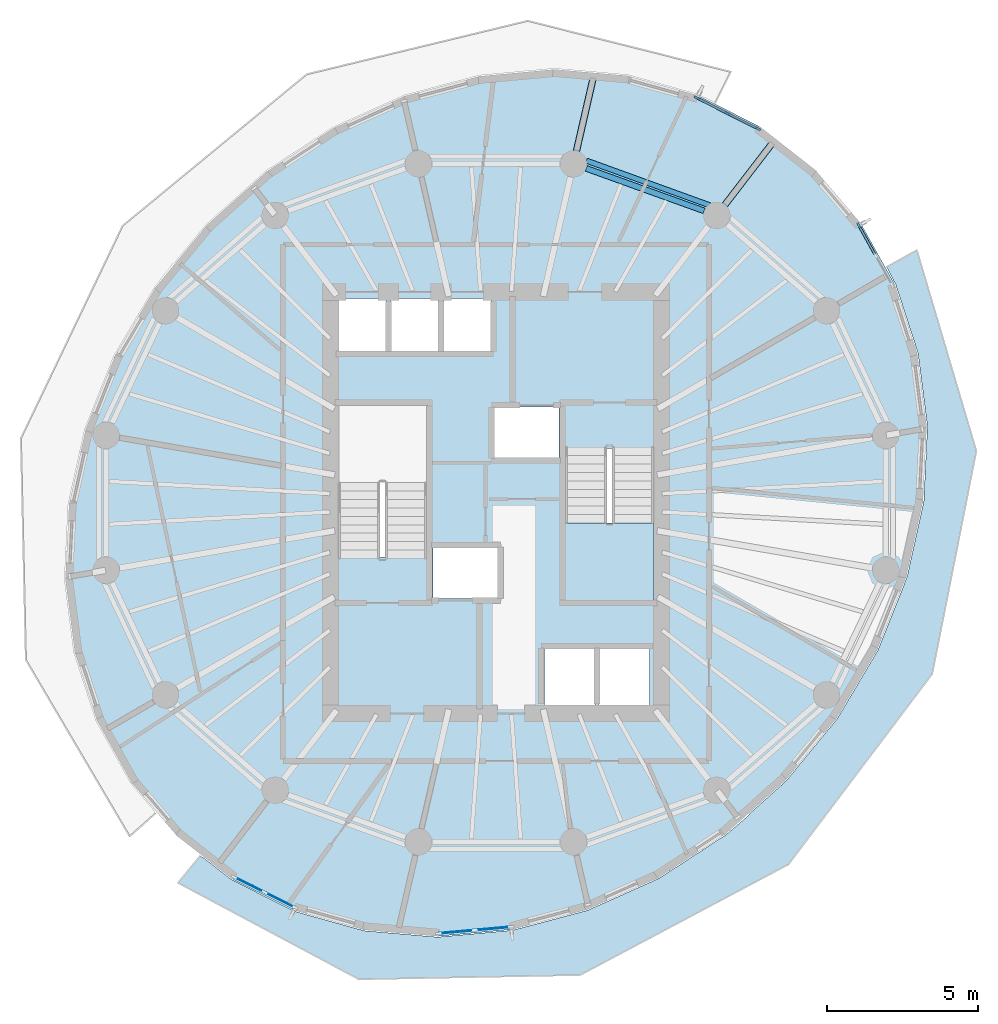
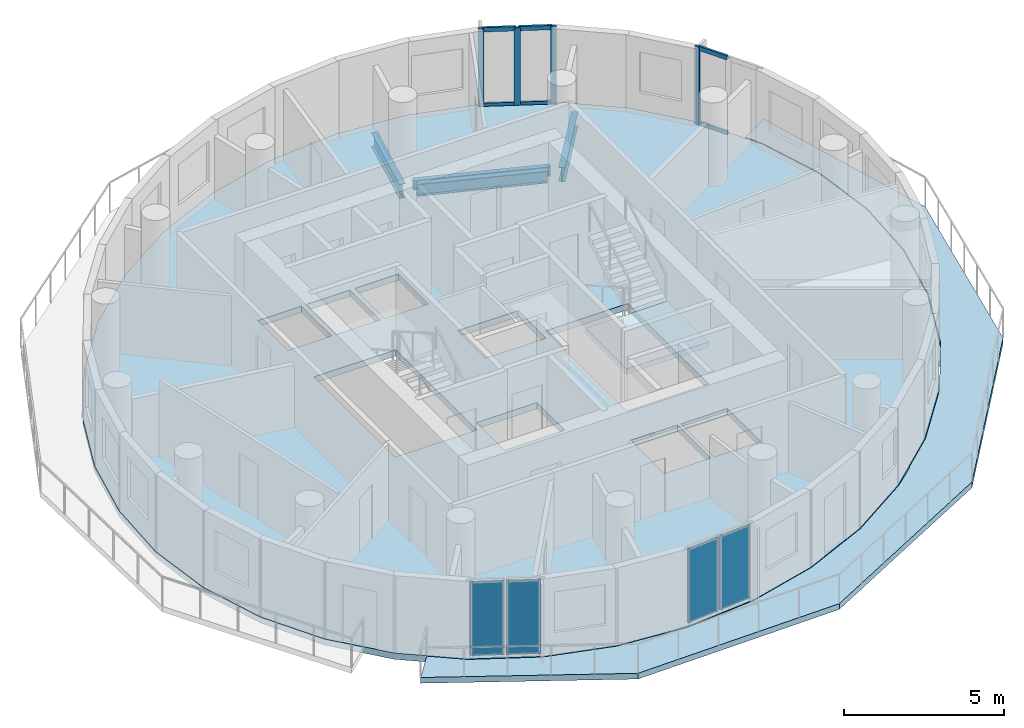
# One storey, part 3 of 10: 10 members, 4 beams, 4 plates, 3 slabs, 5 elements without a shape of their own.
"""IFC4 building model written with IfcOpenShell, lengths in metres."""

from ifc_helpers import new_model, si_unit, direction, frame, origin, origin_2d, place, context, subcontext, project, spatial, polyline, rectangle, i_section, outline, extrude, material, layer, layer_set, material_profile, profile_set, type_object, element, aggregate, save


model = new_model("IFC4")

# Units and contexts
model_context = context("Model", 3, precision=1e-05, world=origin(), true_north=direction((0.0, 1.0)))
body_context = subcontext(model_context, "Body", "Model", "MODEL_VIEW")
ifc_project = project(units=[si_unit("LENGTHUNIT", "METRE"), si_unit("AREAUNIT", "SQUARE_METRE"), si_unit("VOLUMEUNIT", "CUBIC_METRE"), si_unit("PLANEANGLEUNIT", "RADIAN"), si_unit("MASSUNIT", "GRAM", prefix="KILO")], contexts=[model_context])

# Site, building, storey
site_placement = place(None, origin())
site = spatial("IfcSite", under=ifc_project, at=site_placement, CompositionType="ELEMENT")
building_placement = place(site_placement, origin())
building = spatial("IfcBuilding", under=site, at=building_placement, Name="Veldorim Arch Residences", CompositionType="ELEMENT")
storey_placement = place(building_placement, frame((0.0, 0.0, 185.43994140625)))
storey = spatial("IfcBuildingStorey", under=building, at=storey_placement, Name="L55", CompositionType="ELEMENT", Elevation=185.43994140625)

# Beams
ifc_material_1 = material(Name="Steel S355", Category="steel")
ifc_material_profile_1 = material_profile(ifc_material_1, i_section(OverallWidth=0.2119140625, OverallDepth=0.54443359375, WebThickness=0.0126953125, FlangeThickness=0.021240234375, at=origin_2d()), Name="UB533x210x122")
ifc_profile_set_1 = profile_set([ifc_material_profile_1], Name="Steel S355")
beam_type_1 = type_object("IfcBeamType", Name="Structural Steel Beam UB533x210x122", PredefinedType="BEAM", material=ifc_profile_set_1)
beam_1_placement = place(storey_placement, frame((39.345703125, 33.561279296875, -0.51220703125), z_axis=(0.609236633361, 0.792988476947, 0.0), x_axis=(-0.792988476947, 0.609236633361, 0.0)))
element("IfcBeam", 1, at=beam_1_placement, inside=storey, type_object=beam_type_1, Name="L55 radial edge cantilever girder 03", PredefinedType="BEAM", context=body_context, shape_type="SweptSolid", body=[
    extrude(i_section(OverallWidth=0.2119140625, OverallDepth=0.54443359375, WebThickness=0.0126953125, FlangeThickness=0.021240234375, at=origin_2d()), origin(), (0.0, 0.0, 1.0), 3.08642578125),
])
beam_2_placement = place(storey_placement, frame((34.57958984375, 35.27880859375, -0.51220703125), z_axis=(0.222962695029, 0.974826977789, 0.0), x_axis=(-0.974826977789, 0.222962695029, 0.0)))
element("IfcBeam", 2, at=beam_2_placement, inside=storey, type_object=beam_type_1, Name="L55 radial edge cantilever girder 04", PredefinedType="BEAM", context=body_context, shape_type="SweptSolid", body=[
    extrude(i_section(OverallWidth=0.2119140625, OverallDepth=0.54443359375, WebThickness=0.0126953125, FlangeThickness=0.021240234375, at=origin_2d()), origin(), (0.0, 0.0, 1.0), 2.98046875),
])
ifc_material_2 = material(Name="Steel S355", Category="steel")
ifc_material_profile_2 = material_profile(ifc_material_2, i_section(OverallWidth=0.172119140625, OverallDepth=0.35791015625, WebThickness=0.008056640625, FlangeThickness=0.012939453125, at=origin_2d()), Name="UB356x171x57")
ifc_profile_set_2 = profile_set([ifc_material_profile_2], Name="Steel S355")
beam_type_2 = type_object("IfcBeamType", Name="Structural Steel Spandrel UB356x171x57", PredefinedType="SPANDREL", material=ifc_profile_set_2)
beam_3_placement = place(storey_placement, frame((39.112060546875, 33.87646484375, -0.43896484375), z_axis=(-0.940164695555, 0.340720332871, 0.0), x_axis=(-0.340720332871, -0.940164695555, 0.0)))
element("IfcBeam", 3, at=beam_3_placement, inside=storey, type_object=beam_type_2, Name="L55 perimeter chord spandrel beam 03", PredefinedType="SPANDREL", context=body_context, shape_type="SweptSolid", body=[
    extrude(i_section(OverallWidth=0.172119140625, OverallDepth=0.35791015625, WebThickness=0.008056640625, FlangeThickness=0.012939453125, at=origin_2d()), origin(), (0.0, 0.0, 1.0), 4.370849609375),
])
ifc_material_3 = material(Name="Steel S355", Category="steel")
ifc_material_profile_3 = material_profile(ifc_material_3, i_section(OverallWidth=0.19140625, OverallDepth=0.4599609375, WebThickness=0.010009765625, FlangeThickness=0.01611328125, at=origin_2d()), Name="UB457x191x82")
ifc_profile_set_3 = profile_set([ifc_material_profile_3], Name="Steel S355")
beam_type_3 = type_object("IfcBeamType", Name="Structural Steel Spandrel UB457x191x82", PredefinedType="SPANDREL", material=ifc_profile_set_3)
beam_4_placement = place(storey_placement, frame((38.91015625, 33.69775390625, -0.469970703125), z_axis=(-0.940811035395, 0.338931550137, 0.0), x_axis=(-0.338931550137, -0.940811035395, 0.0)))
element("IfcBeam", 4, at=beam_4_placement, inside=storey, type_object=beam_type_3, Name="L55 perimeter ring tie beam 03", PredefinedType="SPANDREL", context=body_context, shape_type="SweptSolid", body=[
    extrude(i_section(OverallWidth=0.19140625, OverallDepth=0.4599609375, WebThickness=0.010009765625, FlangeThickness=0.01611328125, at=origin_2d()), origin(), (0.0, 0.0, 1.0), 4.15771484375),
])

# Curtain wall, members
ifc_material_4 = material(Name="Aluminium", Category="aluminium")
curtain_wall_type = type_object("IfcCurtainWallType", Name="Zone 4 High-Altitude Unitised Curtain Wall", PredefinedType="NOTDEFINED", material=ifc_material_4)
curtain_wall_1_placement = place(storey_placement, origin())
curtain_wall_1 = element("IfcCurtainWall", 5, at=curtain_wall_1_placement, inside=storey, type_object=curtain_wall_type, Name="L55 unitised curtain wall bay 02", PredefinedType="NOTDEFINED")
ifc_material_5 = material(Name="Aluminium", Category="aluminium")
ifc_material_profile_4 = material_profile(ifc_material_5, rectangle(XDim=0.074951171875, YDim=0.195068359375, at=origin_2d()), Name="ALU_MUL_75x195")
ifc_profile_set_4 = profile_set([ifc_material_profile_4], Name="Aluminium")
member_type_1 = type_object("IfcMemberType", Name="Zone 4 High-Altitude Unitised Curtain Wall Mullion 75x195", PredefinedType="MULLION", material=ifc_profile_set_4)
member_1_placement = place(storey_placement, frame((38.669189453125, 37.446533203125, 0.0), z_axis=(0.0, 0.0, 1.0), x_axis=(0.448866145175, 0.893599006107, 0.0)))
member_1 = element("IfcMember", 6, at=member_1_placement, type_object=member_type_1, Name="CW-Z4 mullion 1", PredefinedType="MULLION", context=body_context, shape_type="SweptSolid", body=[
    extrude(rectangle(XDim=0.074951171875, YDim=0.195068359375, at=origin_2d()), origin(), (0.0, 0.0, 1.0), 2.9599609375),
])
member_2_placement = place(storey_placement, frame((39.68408203125, 36.9365234375, 0.0), z_axis=(0.0, 0.0, 1.0), x_axis=(0.448866145175, 0.893599006107, 0.0)))
member_2 = element("IfcMember", 7, at=member_2_placement, type_object=member_type_1, Name="CW-Z4 mullion 2", PredefinedType="MULLION", context=body_context, shape_type="SweptSolid", body=[
    extrude(rectangle(XDim=0.074951171875, YDim=0.195068359375, at=origin_2d()), origin(), (0.0, 0.0, 1.0), 2.9599609375),
])
member_3_placement = place(storey_placement, frame((40.69921875, 36.4267578125, 0.0), z_axis=(0.0, 0.0, 1.0), x_axis=(0.448866145175, 0.893599006107, 0.0)))
member_3 = element("IfcMember", 8, at=member_3_placement, type_object=member_type_1, Name="CW-Z4 mullion 3", PredefinedType="MULLION", context=body_context, shape_type="SweptSolid", body=[
    extrude(rectangle(XDim=0.074951171875, YDim=0.195068359375, at=origin_2d()), origin(), (0.0, 0.0, 1.0), 2.9599609375),
])

# Curtain wall, member
curtain_wall_2_placement = place(storey_placement, origin())
curtain_wall_2 = element("IfcCurtainWall", 9, at=curtain_wall_2_placement, inside=storey, type_object=curtain_wall_type, Name="L55 unitised curtain wall bay 35", PredefinedType="NOTDEFINED")
member_4_placement = place(storey_placement, frame((44.051513671875, 33.2119140625, 0.0), z_axis=(0.0, 0.0, 1.0), x_axis=(0.874022577874, 0.485885308861, 0.0)))
member_4 = element("IfcMember", 10, at=member_4_placement, type_object=member_type_1, Name="CW-Z4 mullion 1", PredefinedType="MULLION", context=body_context, shape_type="SweptSolid", body=[
    extrude(rectangle(XDim=0.074951171875, YDim=0.195068359375, at=origin_2d()), origin(), (0.0, 0.0, 1.0), 2.9599609375),
])

# Member
ifc_material_6 = material(Name="Aluminium", Category="aluminium")
ifc_material_profile_5 = material_profile(ifc_material_6, rectangle(XDim=0.074951171875, YDim=0.1650390625, at=origin_2d()), Name="ALU_TRN_75x165")
ifc_profile_set_5 = profile_set([ifc_material_profile_5], Name="Aluminium")
member_type_2 = type_object("IfcMemberType", Name="Zone 4 High-Altitude Unitised Curtain Wall Transom 75x165", PredefinedType="USERDEFINED", material=ifc_profile_set_5)
member_5_placement = place(storey_placement, frame((38.70263671875, 37.4296875, 0.03759765625), z_axis=(0.89355102998, -0.448961642929, 0.0), x_axis=(0.448961642929, 0.89355102998, 0.0)))
member_5 = element("IfcMember", 11, at=member_5_placement, type_object=member_type_2, Name="CW-Z4 transom 1.1", ObjectType="TRANSOM", PredefinedType="USERDEFINED", context=body_context, shape_type="SweptSolid", body=[
    extrude(rectangle(XDim=0.074951171875, YDim=0.1650390625, at=origin_2d()), origin(), (0.0, 0.0, 1.0), 1.06103515625),
])

member_6_placement = place(storey_placement, frame((38.70263671875, 37.4296875, 2.922607421875), z_axis=(0.89355102998, -0.448961642929, 0.0), x_axis=(0.448961642929, 0.89355102998, 0.0)))
member_6 = element("IfcMember", 12, at=member_6_placement, type_object=member_type_2, Name="CW-Z4 transom 1.2", ObjectType="TRANSOM", PredefinedType="USERDEFINED", context=body_context, shape_type="SweptSolid", body=[
    extrude(rectangle(XDim=0.074951171875, YDim=0.1650390625, at=origin_2d()), origin(), (0.0, 0.0, 1.0), 1.06103515625),
])

member_7_placement = place(storey_placement, frame((39.7177734375, 36.919677734375, 0.03759765625), z_axis=(0.893643337386, -0.448777879965, 0.0), x_axis=(0.448777879965, 0.893643337386, 0.0)))
member_7 = element("IfcMember", 13, at=member_7_placement, type_object=member_type_2, Name="CW-Z4 transom 2.1", ObjectType="TRANSOM", PredefinedType="USERDEFINED", context=body_context, shape_type="SweptSolid", body=[
    extrude(rectangle(XDim=0.074951171875, YDim=0.1650390625, at=origin_2d()), origin(), (0.0, 0.0, 1.0), 1.060791015625),
])

member_8_placement = place(storey_placement, frame((39.7177734375, 36.919677734375, 2.922607421875), z_axis=(0.893643337386, -0.448777879965, 0.0), x_axis=(0.448777879965, 0.893643337386, 0.0)))
member_8 = element("IfcMember", 14, at=member_8_placement, type_object=member_type_2, Name="CW-Z4 transom 2.2", ObjectType="TRANSOM", PredefinedType="USERDEFINED", context=body_context, shape_type="SweptSolid", body=[
    extrude(rectangle(XDim=0.074951171875, YDim=0.1650390625, at=origin_2d()), origin(), (0.0, 0.0, 1.0), 1.060791015625),
])

aggregate(curtain_wall_1, [member_1, member_2, member_3, member_5, member_6, member_7, member_8])

member_9_placement = place(storey_placement, frame((44.06982421875, 33.17919921875, 0.03759765625), z_axis=(0.485818780603, -0.874059558848, 0.0), x_axis=(0.874059558848, 0.485818780603, 0.0)))
member_9 = element("IfcMember", 15, at=member_9_placement, type_object=member_type_2, Name="CW-Z4 transom 1.1", ObjectType="TRANSOM", PredefinedType="USERDEFINED", context=body_context, shape_type="SweptSolid", body=[
    extrude(rectangle(XDim=0.074951171875, YDim=0.1650390625, at=origin_2d()), origin(), (0.0, 0.0, 1.0), 1.060791015625),
])

member_10_placement = place(storey_placement, frame((44.06982421875, 33.17919921875, 2.922607421875), z_axis=(0.485818780603, -0.874059558848, 0.0), x_axis=(0.874059558848, 0.485818780603, 0.0)))
member_10 = element("IfcMember", 16, at=member_10_placement, type_object=member_type_2, Name="CW-Z4 transom 1.2", ObjectType="TRANSOM", PredefinedType="USERDEFINED", context=body_context, shape_type="SweptSolid", body=[
    extrude(rectangle(XDim=0.074951171875, YDim=0.1650390625, at=origin_2d()), origin(), (0.0, 0.0, 1.0), 1.060791015625),
])

aggregate(curtain_wall_2, [member_4, member_9, member_10])

# Slab
ifc_material_7 = material(Name="Concrete C40/50", Category="concrete")
ifc_layer_1 = layer(ifc_material_7, 0.219970703125, Name="Planted Crescent Cantilever Balcony Slab 220")
ifc_layer_set_1 = layer_set([ifc_layer_1], Name="Concrete C40/50")
slab_type_1 = type_object("IfcSlabType", Name="Planted Crescent Cantilever Balcony Slab 220", PredefinedType="FLOOR", material=ifc_layer_set_1)
slab_1_placement = place(storey_placement, frame((0.0, 0.0, -0.219970703125)))
element("IfcSlab", 17, at=slab_1_placement, inside=storey, type_object=slab_type_1, Name="L55 planted crescent balcony slab B", PredefinedType="FLOOR", context=body_context, shape_type="SweptSolid", body=[
    extrude(outline(polyline([(22.285400390625, 12.21484375), (23.21337890625, 11.488525390625), (25.31494140625, 10.432861328125), (27.619384765625, 9.789794921875), (30.056884765625, 9.578369140625), (32.552978515625, 9.805419921875), (35.032470703125, 10.46337890625), (37.41943359375, 11.53271484375), (39.641845703125, 12.980712890625), (40.37158203125, 13.605224609375), (40.44677734375, 13.70166015625), (41.6318359375, 14.76318359375), (43.32958984375, 16.826416015625), (44.68310546875, 19.107421875), (45.651611328125, 21.537109375), (46.205322265625, 24.041748046875), (46.27783203125, 25.5263671875), (46.30859375, 25.648681640625), (46.288330078125, 25.74267578125), (46.32763671875, 26.54541015625), (46.014404296875, 28.9716796875), (45.275390625, 31.247314453125), (44.972900390625, 31.835693359375), (45.978515625, 32.393310546875), (47.95458984375, 25.723388671875), (46.487548828125, 18.31201171875), (41.7158203125, 11.99169921875), (34.799560546875, 8.318115234375), (27.44384765625, 8.176025390625), (21.435302734375, 11.379150390625), (22.165283203125, 12.267822265625), (22.285400390625, 12.21484375)])), origin(), (0.0, 0.0, 1.0), 0.219970703125),
])

# Stair, slab
ifc_material_8 = material(Name="Concrete C40/50", Category="concrete")
stair_type = type_object("IfcStairType", Name="Reinforced Concrete Dogleg Exit Staircase", PredefinedType="HALF_TURN_STAIR", material=ifc_material_8)
stair_placement = place(storey_placement, origin())
stair = element("IfcStair", 18, at=stair_placement, inside=storey, type_object=stair_type, Name="L55 Exit Staircase ST-2", PredefinedType="HALF_TURN_STAIR")
ifc_material_9 = material(Name="Concrete C40/50", Category="concrete")
ifc_layer_2 = layer(ifc_material_9, 0.199951171875, Name="Reinforced Concrete Stair Landing 200")
ifc_layer_set_2 = layer_set([ifc_layer_2], Name="Concrete C40/50")
slab_type_2 = type_object("IfcSlabType", Name="Reinforced Concrete Stair Landing 200", PredefinedType="LANDING", material=ifc_layer_set_2)
slab_2_placement = place(storey_placement, frame((0.0, 0.0, 1.400146484375)))
slab_2 = element("IfcSlab", 19, at=slab_2_placement, type_object=slab_type_2, Name="ST-2 landing 1", PredefinedType="LANDING", context=body_context, shape_type="SweptSolid", body=[
    extrude(outline(polyline([(34.2900390625, 23.330078125), (34.2900390625, 20.75), (37.25, 20.75), (37.25, 23.330078125), (34.2900390625, 23.330078125)])), origin(), (0.0, 0.0, 1.0), 0.199951171875),
])
aggregate(stair, [slab_2])

# Slab
ifc_material_10 = material(Name="Concrete C40/50", Category="concrete")
ifc_layer_3 = layer(ifc_material_10, 0.239990234375, Name="Typical Residential Floor Slab 240")
ifc_layer_set_3 = layer_set([ifc_layer_3], Name="Concrete C40/50")
slab_type_3 = type_object("IfcSlabType", Name="Typical Residential Floor Slab 240", PredefinedType="FLOOR", material=ifc_layer_set_3)
slab_3_placement = place(storey_placement, frame((0.0, 0.0, -0.239990234375)))
element("IfcSlab", 20, at=slab_3_placement, inside=storey, type_object=slab_type_3, Name="L55 tower structural floor slab", PredefinedType="FLOOR", context=body_context, shape_type="SweptSolid", body=[
    extrude(outline(polyline([(42.603515625, 35.057373046875), (40.773193359375, 36.490234375), (38.676025390625, 37.543701171875), (36.376220703125, 38.185546875), (33.943115234375, 38.396484375), (31.451416015625, 38.169921875), (28.97607421875, 37.512939453125), (26.592529296875, 36.4453125), (24.37353515625, 34.99951171875), (22.38623046875, 33.21923828125), (20.69091796875, 31.1591796875), (19.33935546875, 28.881591796875), (18.372314453125, 26.45556640625), (17.819580078125, 23.954833984375), (17.697509765625, 21.45556640625), (18.010009765625, 19.03369140625), (18.747802734375, 16.7626953125), (19.887939453125, 14.71142578125), (21.396484375, 12.942626953125), (23.226806640625, 11.509765625), (25.323974609375, 10.456298828125), (27.623779296875, 9.814453125), (30.056884765625, 9.603515625), (32.548583984375, 9.830078125), (35.02392578125, 10.487060546875), (37.407470703125, 11.5546875), (39.62646484375, 13.00048828125), (41.61376953125, 14.78076171875), (43.30908203125, 16.8408203125), (44.66064453125, 19.118408203125), (45.627685546875, 21.54443359375), (46.180419921875, 24.045166015625), (46.302490234375, 26.54443359375), (45.989990234375, 28.96630859375), (45.252197265625, 31.2373046875), (44.112060546875, 33.28857421875), (42.603515625, 35.057373046875)]), holes=[polyline([(33.610107421875, 17.2099609375), (33.610107421875, 19.2900390625), (35.2900390625, 19.2900390625), (35.2900390625, 17.2099609375), (33.610107421875, 17.2099609375)]), polyline([(35.409912109375, 17.2099609375), (35.409912109375, 19.2900390625), (37.090087890625, 19.2900390625), (37.090087890625, 17.2099609375), (35.409912109375, 17.2099609375)]), polyline([(29.909912109375, 20.81494140625), (29.909912109375, 22.544921875), (32.090087890625, 22.544921875), (32.090087890625, 20.81494140625), (29.909912109375, 20.81494140625)]), polyline([(34.2900390625, 20.75), (34.2900390625, 25.804931640625), (37.25, 25.804931640625), (37.25, 20.75), (34.2900390625, 20.75)]), polyline([(26.75, 22.195068359375), (26.75, 27.25), (29.7099609375, 27.25), (29.7099609375, 22.195068359375), (26.75, 22.195068359375)]), polyline([(31.909912109375, 25.455078125), (31.909912109375, 27.18505859375), (34.090087890625, 27.18505859375), (34.090087890625, 25.455078125), (31.909912109375, 25.455078125)]), polyline([(26.760009765625, 28.909912109375), (26.760009765625, 30.7900390625), (28.340087890625, 30.7900390625), (28.340087890625, 28.909912109375), (26.760009765625, 28.909912109375)]), polyline([(28.510009765625, 30.7900390625), (30.090087890625, 30.7900390625), (30.090087890625, 28.909912109375), (28.510009765625, 28.909912109375), (28.510009765625, 30.7900390625)]), polyline([(30.260009765625, 30.7900390625), (31.840087890625, 30.7900390625), (31.840087890625, 28.909912109375), (30.260009765625, 28.909912109375), (30.260009765625, 30.7900390625)])]), origin(), (0.0, 0.0, 1.0), 0.239990234375),
])

# Curtain wall, plates
curtain_wall_3_placement = place(storey_placement, origin())
curtain_wall_3 = element("IfcCurtainWall", 21, at=curtain_wall_3_placement, inside=storey, type_object=curtain_wall_type, Name="L55 unitised curtain wall bay 20", PredefinedType="NOTDEFINED")
ifc_material_11 = material(Name="Laminated Low-E Glass", Category="glass")
ifc_layer_4 = layer(ifc_material_11, 0.030029296875, Name="Zone 4 High-Altitude Unitised Curtain Wall Glazing Panel 30")
ifc_layer_set_4 = layer_set([ifc_layer_4], Name="Laminated Low-E Glass")
plate_type = type_object("IfcPlateType", Name="Zone 4 High-Altitude Unitised Curtain Wall Glazing Panel 30", PredefinedType="CURTAIN_PANEL", material=ifc_layer_set_4)
plate_1_placement = place(storey_placement, frame((24.823486328125, 10.808349609375, 0.074951171875), z_axis=(0.0, 0.0, 1.0), x_axis=(-0.893599006107, 0.448866145175, 0.0)))
plate_1 = element("IfcPlate", 22, at=plate_1_placement, type_object=plate_type, Name="CW-Z4 panel 1.1", PredefinedType="CURTAIN_PANEL", context=body_context, shape_type="SweptSolid", body=[
    extrude(rectangle(XDim=1.060791015625, YDim=0.030029296875, at=origin_2d()), origin(), (0.0, 0.0, 1.0), 2.81005859375),
])
plate_2_placement = place(storey_placement, frame((23.808349609375, 11.318359375, 0.074951171875), z_axis=(0.0, 0.0, 1.0), x_axis=(-0.893599006107, 0.448866145175, 0.0)))
plate_2 = element("IfcPlate", 23, at=plate_2_placement, type_object=plate_type, Name="CW-Z4 panel 2.1", PredefinedType="CURTAIN_PANEL", context=body_context, shape_type="SweptSolid", body=[
    extrude(rectangle(XDim=1.060791015625, YDim=0.030029296875, at=origin_2d()), origin(), (0.0, 0.0, 1.0), 2.81005859375),
])
aggregate(curtain_wall_3, [plate_1, plate_2])

curtain_wall_4_placement = place(storey_placement, origin())
curtain_wall_4 = element("IfcCurtainWall", 24, at=curtain_wall_4_placement, inside=storey, type_object=curtain_wall_type, Name="L55 unitised curtain wall bay 23", PredefinedType="NOTDEFINED")
plate_3_placement = place(storey_placement, frame((31.89892578125, 9.861328125, 0.074951171875), z_axis=(0.0, 0.0, 1.0), x_axis=(-0.9958945167, -0.090521332333, 0.0)))
plate_3 = element("IfcPlate", 25, at=plate_3_placement, type_object=plate_type, Name="CW-Z4 panel 1.1", PredefinedType="CURTAIN_PANEL", context=body_context, shape_type="SweptSolid", body=[
    extrude(rectangle(XDim=1.138671875, YDim=0.030029296875, at=origin_2d()), origin(), (0.0, 0.0, 1.0), 2.81005859375),
])
plate_4_placement = place(storey_placement, frame((30.6904296875, 9.75146484375, 0.074951171875), z_axis=(0.0, 0.0, 1.0), x_axis=(-0.9958945167, -0.090521332333, 0.0)))
plate_4 = element("IfcPlate", 26, at=plate_4_placement, type_object=plate_type, Name="CW-Z4 panel 2.1", PredefinedType="CURTAIN_PANEL", context=body_context, shape_type="SweptSolid", body=[
    extrude(rectangle(XDim=1.138671875, YDim=0.030029296875, at=origin_2d()), origin(), (0.0, 0.0, 1.0), 2.81005859375),
])
aggregate(curtain_wall_4, [plate_3, plate_4])

save(model, "model.ifc")
